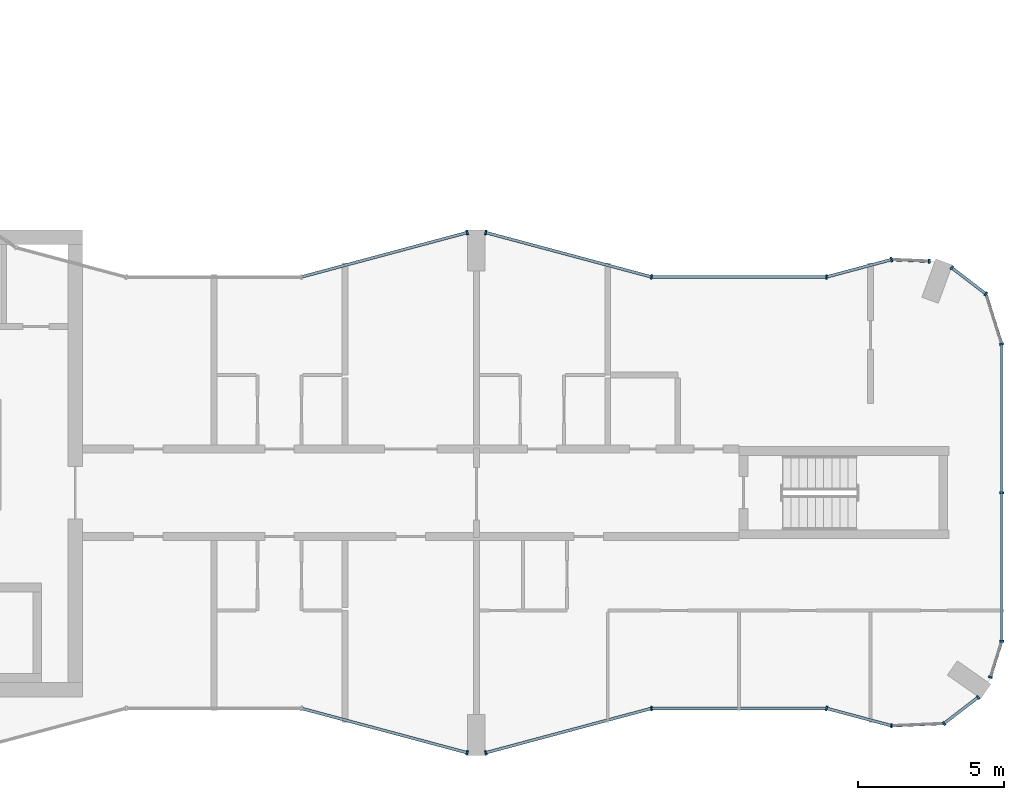
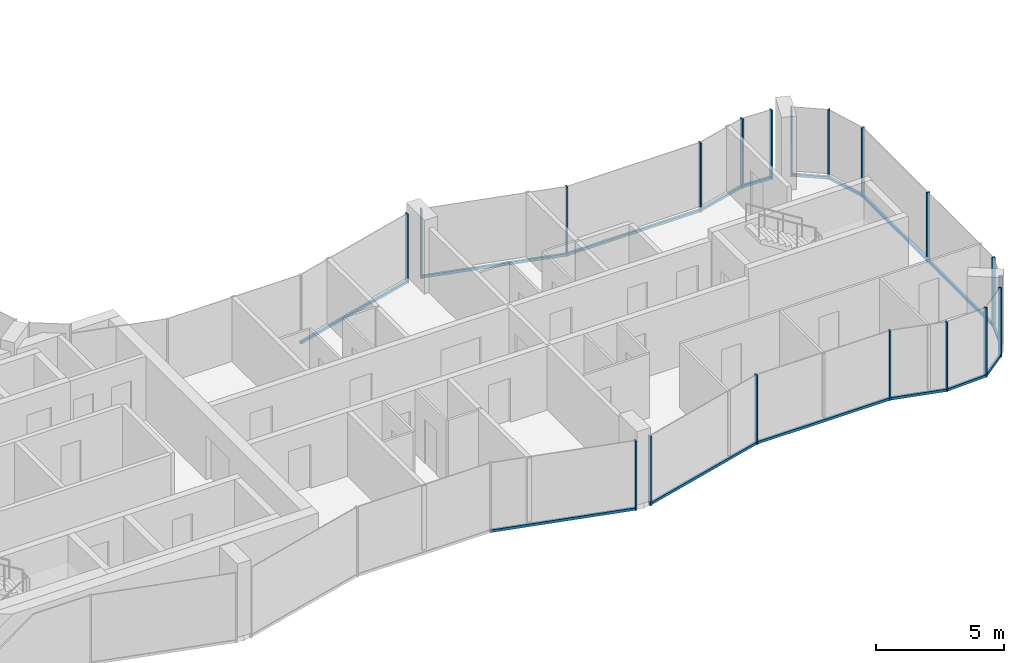
# One storey, part 6 of 17: 34 members, 15 elements without a shape of their own.
"""IFC4 building model written with IfcOpenShell, lengths in metres."""

from ifc_helpers import new_model, si_unit, direction, frame, origin, origin_2d, place, context, subcontext, project, spatial, rectangle, extrude, material, layer, layer_set, material_profile, profile_set, type_object, element, aggregate, save


model = new_model("IFC4")

# Units and contexts
model_context = context("Model", 3, precision=1e-05, world=origin(), true_north=direction((0.0, 1.0)))
body_context = subcontext(model_context, "Body", "Model", "MODEL_VIEW")
ifc_project = project(units=[si_unit("LENGTHUNIT", "METRE"), si_unit("AREAUNIT", "SQUARE_METRE"), si_unit("VOLUMEUNIT", "CUBIC_METRE"), si_unit("PLANEANGLEUNIT", "RADIAN"), si_unit("MASSUNIT", "GRAM", prefix="KILO")], contexts=[model_context])

# Site, building, storey
site_placement = place(None, origin())
site = spatial("IfcSite", under=ifc_project, at=site_placement, CompositionType="ELEMENT")
building_placement = place(site_placement, origin())
building = spatial("IfcBuilding", under=site, at=building_placement, Name="Plateau Cross Towers", CompositionType="ELEMENT")
storey_placement = place(building_placement, frame((0.0, 0.0, 225.89990234375)))
storey = spatial("IfcBuildingStorey", under=building, at=storey_placement, Name="L59", CompositionType="ELEMENT", Elevation=225.89990234375)

# Curtain wall, member
ifc_material_1 = material(Name="Dark low-iron glass", Category="glass")
ifc_layer_1 = layer(ifc_material_1, 0.239990234375)
ifc_layer_set_1 = layer_set([ifc_layer_1], Name="Dark low-iron glass")
curtain_wall_type_1 = type_object("IfcCurtainWallType", Name="Curtain wall flush unitised CW-B", PredefinedType="NOTDEFINED", material=ifc_layer_set_1)
curtain_wall_1_placement = place(storey_placement, origin())
curtain_wall_1 = element("IfcCurtainWall", 1, at=curtain_wall_1_placement, inside=storey, type_object=curtain_wall_type_1, Name="ENV/A/L59/A502_10", PredefinedType="NOTDEFINED")
ifc_material_2 = material(Name="Black anodised aluminium", Category="aluminium")
ifc_material_profile_1 = material_profile(ifc_material_2, rectangle(XDim=0.06005859375, YDim=0.139892578125, at=origin_2d()), Name="MULLION 60x140")
ifc_profile_set_1 = profile_set([ifc_material_profile_1], Name="Black anodised aluminium")
member_type_1 = type_object("IfcMemberType", Name="Mullion 60x140 flush unitised", PredefinedType="MULLION", material=ifc_profile_set_1)
member_1_placement = place(storey_placement, frame((50.223876953125, 1.01123046875, -0.25), z_axis=(0.0, 0.0, 1.0), x_axis=(0.999043701491, 0.043722791671, 0.0)))
member_1 = element("IfcMember", 2, at=member_1_placement, type_object=member_type_1, Name="CW-B mullion 1", PredefinedType="MULLION", context=body_context, shape_type="SweptSolid", body=[
    extrude(rectangle(XDim=0.06005859375, YDim=0.139892578125, at=origin_2d()), origin(), (0.0, 0.0, 1.0), 3.300048828125),
])

# Curtain wall, members
curtain_wall_2_placement = place(storey_placement, origin())
curtain_wall_2 = element("IfcCurtainWall", 3, at=curtain_wall_2_placement, inside=storey, type_object=curtain_wall_type_1, Name="ENV/A/L59/A520_11", PredefinedType="NOTDEFINED")
member_2_placement = place(storey_placement, frame((52.0263671875, 1.090087890625, -0.25), z_axis=(0.0, 0.0, 1.0), x_axis=(0.793315514529, 0.608810721331, 0.0)))
member_2 = element("IfcMember", 4, at=member_2_placement, type_object=member_type_1, Name="CW-B mullion 1", PredefinedType="MULLION", context=body_context, shape_type="SweptSolid", body=[
    extrude(rectangle(XDim=0.06005859375, YDim=0.139892578125, at=origin_2d()), origin(), (0.0, 0.0, 1.0), 3.300048828125),
])
member_3_placement = place(storey_placement, frame((53.193603515625, 1.986083984375, -0.25), z_axis=(0.0, 0.0, 1.0), x_axis=(0.793315514529, 0.608810721331, 0.0)))
member_3 = element("IfcMember", 5, at=member_3_placement, type_object=member_type_1, Name="CW-B mullion 2", PredefinedType="MULLION", context=body_context, shape_type="SweptSolid", body=[
    extrude(rectangle(XDim=0.06005859375, YDim=0.139892578125, at=origin_2d()), origin(), (0.0, 0.0, 1.0), 3.300048828125),
])

# Curtain wall, member
curtain_wall_3_placement = place(storey_placement, origin())
curtain_wall_3 = element("IfcCurtainWall", 6, at=curtain_wall_3_placement, inside=storey, type_object=curtain_wall_type_1, Name="ENV/A/L59/A536_27", PredefinedType="NOTDEFINED")
member_4_placement = place(storey_placement, frame((53.611083984375, 2.67529296875, -0.25), z_axis=(0.0, 0.0, 1.0), x_axis=(0.300686174994, 0.95372313811, 0.0)))
member_4 = element("IfcMember", 7, at=member_4_placement, type_object=member_type_1, Name="CW-B mullion 1", PredefinedType="MULLION", context=body_context, shape_type="SweptSolid", body=[
    extrude(rectangle(XDim=0.06005859375, YDim=0.139892578125, at=origin_2d()), origin(), (0.0, 0.0, 1.0), 3.300048828125),
])

# Curtain wall, members
curtain_wall_4_placement = place(storey_placement, origin())
curtain_wall_4 = element("IfcCurtainWall", 8, at=curtain_wall_4_placement, inside=storey, type_object=curtain_wall_type_1, Name="ENV/A/L59/A540_39", PredefinedType="NOTDEFINED")
member_5_placement = place(storey_placement, frame((54.0, 3.9091796875, -0.25), z_axis=(0.0, 0.0, 1.0), x_axis=(0.0, 1.0, 0.0)))
member_5 = element("IfcMember", 9, at=member_5_placement, type_object=member_type_1, Name="CW-B mullion 1", PredefinedType="MULLION", context=body_context, shape_type="SweptSolid", body=[
    extrude(rectangle(XDim=0.06005859375, YDim=0.139892578125, at=origin_2d()), origin(), (0.0, 0.0, 1.0), 3.300048828125),
])
member_6_placement = place(storey_placement, frame((54.0, 9.0, -0.25), z_axis=(0.0, 0.0, 1.0), x_axis=(0.0, 1.0, 0.0)))
member_6 = element("IfcMember", 10, at=member_6_placement, type_object=member_type_1, Name="CW-B mullion 2", PredefinedType="MULLION", context=body_context, shape_type="SweptSolid", body=[
    extrude(rectangle(XDim=0.06005859375, YDim=0.139892578125, at=origin_2d()), origin(), (0.0, 0.0, 1.0), 3.300048828125),
])

# Curtain wall, member
curtain_wall_5_placement = place(storey_placement, origin())
curtain_wall_5 = element("IfcCurtainWall", 11, at=curtain_wall_5_placement, inside=storey, type_object=curtain_wall_type_1, Name="ENV/A/L59/A540_141", PredefinedType="NOTDEFINED")
member_7_placement = place(storey_placement, frame((54.0, 14.0908203125, -0.25), z_axis=(0.0, 0.0, 1.0), x_axis=(-0.300686174994, 0.95372313811, 0.0)))
member_7 = element("IfcMember", 12, at=member_7_placement, type_object=member_type_1, Name="CW-B mullion 1", PredefinedType="MULLION", context=body_context, shape_type="SweptSolid", body=[
    extrude(rectangle(XDim=0.06005859375, YDim=0.139892578125, at=origin_2d()), origin(), (0.0, 0.0, 1.0), 3.300048828125),
])

# Curtain wall, members
curtain_wall_6_placement = place(storey_placement, origin())
curtain_wall_6 = element("IfcCurtainWall", 13, at=curtain_wall_6_placement, inside=storey, type_object=curtain_wall_type_1, Name="ENV/A/L59/A535_158", PredefinedType="NOTDEFINED")
member_8_placement = place(storey_placement, frame((53.45751953125, 15.8115234375, -0.25), z_axis=(0.0, 0.0, 1.0), x_axis=(-0.793315514529, 0.608810721331, 0.0)))
member_8 = element("IfcMember", 14, at=member_8_placement, type_object=member_type_1, Name="CW-B mullion 1", PredefinedType="MULLION", context=body_context, shape_type="SweptSolid", body=[
    extrude(rectangle(XDim=0.06005859375, YDim=0.139892578125, at=origin_2d()), origin(), (0.0, 0.0, 1.0), 3.300048828125),
])
member_9_placement = place(storey_placement, frame((52.290283203125, 16.707275390625, -0.25), z_axis=(0.0, 0.0, 1.0), x_axis=(-0.793315514529, 0.608810721331, 0.0)))
member_9 = element("IfcMember", 15, at=member_9_placement, type_object=member_type_1, Name="CW-B mullion 2", PredefinedType="MULLION", context=body_context, shape_type="SweptSolid", body=[
    extrude(rectangle(XDim=0.06005859375, YDim=0.139892578125, at=origin_2d()), origin(), (0.0, 0.0, 1.0), 3.300048828125),
])

# Curtain wall, member
curtain_wall_7_placement = place(storey_placement, origin())
curtain_wall_7 = element("IfcCurtainWall", 16, at=curtain_wall_7_placement, inside=storey, type_object=curtain_wall_type_1, Name="ENV/A/L59/A515_169", PredefinedType="NOTDEFINED")
member_10_placement = place(storey_placement, frame((51.516357421875, 16.93212890625, -0.25), z_axis=(0.0, 0.0, 1.0), x_axis=(-0.999043701491, 0.043722791671, 0.0)))
member_10 = element("IfcMember", 17, at=member_10_placement, type_object=member_type_1, Name="CW-B mullion 1", PredefinedType="MULLION", context=body_context, shape_type="SweptSolid", body=[
    extrude(rectangle(XDim=0.06005859375, YDim=0.139892578125, at=origin_2d()), origin(), (0.0, 0.0, 1.0), 3.300048828125),
])

ifc_layer_2 = layer(ifc_material_1, 0.260009765625)
ifc_layer_set_2 = layer_set([ifc_layer_2], Name="Dark low-iron glass")
curtain_wall_type_2 = type_object("IfcCurtainWallType", Name="Curtain wall fluted unitised CW-A", PredefinedType="NOTDEFINED", material=ifc_layer_set_2)
curtain_wall_8_placement = place(storey_placement, origin())
curtain_wall_8 = element("IfcCurtainWall", 18, at=curtain_wall_8_placement, inside=storey, type_object=curtain_wall_type_2, Name="ENV/A/L59/A300_16", PredefinedType="NOTDEFINED")
ifc_material_profile_2 = material_profile(ifc_material_2, rectangle(XDim=0.06005859375, YDim=0.159912109375, at=origin_2d()), Name="MULLION 60x160")
ifc_profile_set_2 = profile_set([ifc_material_profile_2], Name="Black anodised aluminium")
member_type_2 = type_object("IfcMemberType", Name="Mullion 60x160 fluted unitised", PredefinedType="MULLION", material=ifc_profile_set_2)
member_11_placement = place(storey_placement, frame((35.68212890625, 0.085205078125, -0.25), z_axis=(0.0, 0.0, 1.0), x_axis=(0.965957983404, -0.258699003279, 0.0)))
member_11 = element("IfcMember", 19, at=member_11_placement, type_object=member_type_2, Name="CW-A mullion 2", PredefinedType="MULLION", context=body_context, shape_type="SweptSolid", body=[
    extrude(rectangle(XDim=0.06005859375, YDim=0.159912109375, at=origin_2d()), origin(), (0.0, 0.0, 1.0), 3.300048828125),
])

curtain_wall_9_placement = place(storey_placement, origin())
curtain_wall_9 = element("IfcCurtainWall", 20, at=curtain_wall_9_placement, inside=storey, type_object=curtain_wall_type_2, Name="ENV/A/L59/A363_1", PredefinedType="NOTDEFINED")
member_12_placement = place(storey_placement, frame((36.31787109375, 0.085205078125, -0.25), z_axis=(0.0, 0.0, 1.0), x_axis=(0.965957983404, 0.258699003279, 0.0)))
member_12 = element("IfcMember", 21, at=member_12_placement, type_object=member_type_2, Name="CW-A mullion 1", PredefinedType="MULLION", context=body_context, shape_type="SweptSolid", body=[
    extrude(rectangle(XDim=0.06005859375, YDim=0.159912109375, at=origin_2d()), origin(), (0.0, 0.0, 1.0), 3.300048828125),
])

curtain_wall_10_placement = place(storey_placement, origin())
curtain_wall_10 = element("IfcCurtainWall", 22, at=curtain_wall_10_placement, inside=storey, type_object=curtain_wall_type_2, Name="ENV/A/L59/A420_16", PredefinedType="NOTDEFINED")
member_13_placement = place(storey_placement, frame((42.0, 1.60693359375, -0.25), z_axis=(0.0, 0.0, 1.0), x_axis=(1.0, 0.0, 0.0)))
member_13 = element("IfcMember", 23, at=member_13_placement, type_object=member_type_2, Name="CW-A mullion 1", PredefinedType="MULLION", context=body_context, shape_type="SweptSolid", body=[
    extrude(rectangle(XDim=0.06005859375, YDim=0.159912109375, at=origin_2d()), origin(), (0.0, 0.0, 1.0), 3.300048828125),
])

curtain_wall_11_placement = place(storey_placement, origin())
curtain_wall_11 = element("IfcCurtainWall", 24, at=curtain_wall_11_placement, inside=storey, type_object=curtain_wall_type_2, Name="ENV/A/L59/A480_16", PredefinedType="NOTDEFINED")
member_14_placement = place(storey_placement, frame((48.0, 1.60693359375, -0.25), z_axis=(0.0, 0.0, 1.0), x_axis=(0.965957962328, -0.258699081978, 0.0)))
member_14 = element("IfcMember", 25, at=member_14_placement, type_object=member_type_2, Name="CW-A mullion 1", PredefinedType="MULLION", context=body_context, shape_type="SweptSolid", body=[
    extrude(rectangle(XDim=0.06005859375, YDim=0.159912109375, at=origin_2d()), origin(), (0.0, 0.0, 1.0), 3.300048828125),
])

curtain_wall_12_placement = place(storey_placement, origin())
curtain_wall_12 = element("IfcCurtainWall", 26, at=curtain_wall_12_placement, inside=storey, type_object=curtain_wall_type_2, Name="ENV/A/L59/A502_170", PredefinedType="NOTDEFINED")
member_15_placement = place(storey_placement, frame((50.223876953125, 16.98876953125, -0.25), z_axis=(0.0, 0.0, 1.0), x_axis=(-0.965957962328, -0.258699081978, 0.0)))
member_15 = element("IfcMember", 27, at=member_15_placement, type_object=member_type_2, Name="CW-A mullion 1", PredefinedType="MULLION", context=body_context, shape_type="SweptSolid", body=[
    extrude(rectangle(XDim=0.06005859375, YDim=0.159912109375, at=origin_2d()), origin(), (0.0, 0.0, 1.0), 3.300048828125),
])

curtain_wall_13_placement = place(storey_placement, origin())
curtain_wall_13 = element("IfcCurtainWall", 28, at=curtain_wall_13_placement, inside=storey, type_object=curtain_wall_type_2, Name="ENV/A/L59/A480_164", PredefinedType="NOTDEFINED")
member_16_placement = place(storey_placement, frame((48.0, 16.39306640625, -0.25), z_axis=(0.0, 0.0, 1.0), x_axis=(-1.0, 0.0, 0.0)))
member_16 = element("IfcMember", 29, at=member_16_placement, type_object=member_type_2, Name="CW-A mullion 1", PredefinedType="MULLION", context=body_context, shape_type="SweptSolid", body=[
    extrude(rectangle(XDim=0.06005859375, YDim=0.159912109375, at=origin_2d()), origin(), (0.0, 0.0, 1.0), 3.300048828125),
])

# Curtain wall, members
curtain_wall_14_placement = place(storey_placement, origin())
curtain_wall_14 = element("IfcCurtainWall", 30, at=curtain_wall_14_placement, inside=storey, type_object=curtain_wall_type_2, Name="ENV/A/L59/A420_164", PredefinedType="NOTDEFINED")
member_17_placement = place(storey_placement, frame((42.0, 16.39306640625, -0.25), z_axis=(0.0, 0.0, 1.0), x_axis=(-0.965957983404, 0.258699003279, 0.0)))
member_17 = element("IfcMember", 31, at=member_17_placement, type_object=member_type_2, Name="CW-A mullion 1", PredefinedType="MULLION", context=body_context, shape_type="SweptSolid", body=[
    extrude(rectangle(XDim=0.06005859375, YDim=0.159912109375, at=origin_2d()), origin(), (0.0, 0.0, 1.0), 3.300048828125),
])
member_18_placement = place(storey_placement, frame((36.31787109375, 17.914794921875, -0.25), z_axis=(0.0, 0.0, 1.0), x_axis=(-0.965957983404, 0.258699003279, 0.0)))
member_18 = element("IfcMember", 32, at=member_18_placement, type_object=member_type_2, Name="CW-A mullion 2", PredefinedType="MULLION", context=body_context, shape_type="SweptSolid", body=[
    extrude(rectangle(XDim=0.06005859375, YDim=0.159912109375, at=origin_2d()), origin(), (0.0, 0.0, 1.0), 3.300048828125),
])

# Curtain wall, member
curtain_wall_15_placement = place(storey_placement, origin())
curtain_wall_15 = element("IfcCurtainWall", 33, at=curtain_wall_15_placement, inside=storey, type_object=curtain_wall_type_2, Name="ENV/A/L59/A357_179", PredefinedType="NOTDEFINED")
member_19_placement = place(storey_placement, frame((35.68212890625, 17.914794921875, -0.25), z_axis=(0.0, 0.0, 1.0), x_axis=(-0.965957983404, -0.258699003279, 0.0)))
member_19 = element("IfcMember", 34, at=member_19_placement, type_object=member_type_2, Name="CW-A mullion 1", PredefinedType="MULLION", context=body_context, shape_type="SweptSolid", body=[
    extrude(rectangle(XDim=0.06005859375, YDim=0.159912109375, at=origin_2d()), origin(), (0.0, 0.0, 1.0), 3.300048828125),
])

# Member
ifc_material_profile_3 = material_profile(ifc_material_2, rectangle(XDim=0.10009765625, YDim=0.1201171875, at=origin_2d()), Name="TRANSOM 100x120")
ifc_profile_set_3 = profile_set([ifc_material_profile_3], Name="Black anodised aluminium")
member_type_3 = type_object("IfcMemberType", Name="Transom 100x120 flush unitised", PredefinedType="USERDEFINED", material=ifc_profile_set_3)
member_20_placement = place(storey_placement, frame((50.223876953125, 1.01123046875, -0.18994140625), z_axis=(0.999044377355, 0.043707345779, 0.0), x_axis=(-0.043707345779, 0.999044377355, 0.0)))
member_20 = element("IfcMember", 35, at=member_20_placement, type_object=member_type_3, Name="CW-B transom", ObjectType="TRANSOM", PredefinedType="USERDEFINED", context=body_context, shape_type="SweptSolid", body=[
    extrude(rectangle(XDim=0.10009765625, YDim=0.1201171875, at=origin_2d()), origin(), (0.0, 0.0, 1.0), 1.80419921875),
])

aggregate(curtain_wall_1, [member_1, member_20])

member_21_placement = place(storey_placement, frame((52.0263671875, 1.090087890625, -0.18994140625), z_axis=(0.793240368515, 0.608908628415, 0.0), x_axis=(-0.608908628415, 0.793240368515, 0.0)))
member_21 = element("IfcMember", 36, at=member_21_placement, type_object=member_type_3, Name="CW-B transom", ObjectType="TRANSOM", PredefinedType="USERDEFINED", context=body_context, shape_type="SweptSolid", body=[
    extrude(rectangle(XDim=0.10009765625, YDim=0.1201171875, at=origin_2d()), origin(), (0.0, 0.0, 1.0), 1.471435546875),
])

aggregate(curtain_wall_2, [member_2, member_3, member_21])

member_22_placement = place(storey_placement, frame((53.611083984375, 2.67529296875, -0.18994140625), z_axis=(0.300616528216, 0.953745093284, 0.0), x_axis=(-0.953745093284, 0.300616528216, 0.0)))
member_22 = element("IfcMember", 37, at=member_22_placement, type_object=member_type_3, Name="CW-B transom", ObjectType="TRANSOM", PredefinedType="USERDEFINED", context=body_context, shape_type="SweptSolid", body=[
    extrude(rectangle(XDim=0.10009765625, YDim=0.1201171875, at=origin_2d()), origin(), (0.0, 0.0, 1.0), 1.293701171875),
])

aggregate(curtain_wall_3, [member_4, member_22])

member_23_placement = place(storey_placement, frame((54.0, 3.9091796875, -0.18994140625), z_axis=(0.0, 1.0, 0.0), x_axis=(-1.0, 0.0, 0.0)))
member_23 = element("IfcMember", 38, at=member_23_placement, type_object=member_type_3, Name="CW-B transom", ObjectType="TRANSOM", PredefinedType="USERDEFINED", context=body_context, shape_type="SweptSolid", body=[
    extrude(rectangle(XDim=0.10009765625, YDim=0.1201171875, at=origin_2d()), origin(), (0.0, 0.0, 1.0), 10.181640625),
])

aggregate(curtain_wall_4, [member_5, member_6, member_23])

member_24_placement = place(storey_placement, frame((54.0, 14.0908203125, -0.18994140625), z_axis=(-0.30067799945, 0.953725715626, 0.0), x_axis=(-0.953725715626, -0.30067799945, 0.0)))
member_24 = element("IfcMember", 39, at=member_24_placement, type_object=member_type_3, Name="CW-B transom", ObjectType="TRANSOM", PredefinedType="USERDEFINED", context=body_context, shape_type="SweptSolid", body=[
    extrude(rectangle(XDim=0.10009765625, YDim=0.1201171875, at=origin_2d()), origin(), (0.0, 0.0, 1.0), 1.80419921875),
])

aggregate(curtain_wall_5, [member_7, member_24])

member_25_placement = place(storey_placement, frame((53.45751953125, 15.8115234375, -0.18994140625), z_axis=(-0.793320508571, 0.608804213751, 0.0), x_axis=(-0.608804213751, -0.793320508571, 0.0)))
member_25 = element("IfcMember", 40, at=member_25_placement, type_object=member_type_3, Name="CW-B transom", ObjectType="TRANSOM", PredefinedType="USERDEFINED", context=body_context, shape_type="SweptSolid", body=[
    extrude(rectangle(XDim=0.10009765625, YDim=0.1201171875, at=origin_2d()), origin(), (0.0, 0.0, 1.0), 1.471435546875),
])

aggregate(curtain_wall_6, [member_8, member_9, member_25])

member_26_placement = place(storey_placement, frame((51.516357421875, 16.93212890625, -0.18994140625), z_axis=(-0.999041144614, 0.043781175963, 0.0), x_axis=(-0.043781175963, -0.999041144614, 0.0)))
member_26 = element("IfcMember", 41, at=member_26_placement, type_object=member_type_3, Name="CW-B transom", ObjectType="TRANSOM", PredefinedType="USERDEFINED", context=body_context, shape_type="SweptSolid", body=[
    extrude(rectangle(XDim=0.10009765625, YDim=0.1201171875, at=origin_2d()), origin(), (0.0, 0.0, 1.0), 1.293701171875),
])

aggregate(curtain_wall_7, [member_10, member_26])

ifc_material_profile_4 = material_profile(ifc_material_2, rectangle(XDim=0.10009765625, YDim=0.1201171875, at=origin_2d()), Name="TRANSOM 100x120")
ifc_profile_set_4 = profile_set([ifc_material_profile_4], Name="Black anodised aluminium")
member_type_4 = type_object("IfcMemberType", Name="Transom 100x120 fluted unitised", PredefinedType="USERDEFINED", material=ifc_profile_set_4)
member_27_placement = place(storey_placement, frame((30.0, 1.60693359375, -0.18994140625), z_axis=(0.965959534794, -0.258693210465, 0.0), x_axis=(0.258693210465, 0.965959534794, 0.0)))
member_27 = element("IfcMember", 42, at=member_27_placement, type_object=member_type_4, Name="CW-A transom", ObjectType="TRANSOM", PredefinedType="USERDEFINED", context=body_context, shape_type="SweptSolid", body=[
    extrude(rectangle(XDim=0.10009765625, YDim=0.1201171875, at=origin_2d()), origin(), (0.0, 0.0, 1.0), 5.88232421875),
])

aggregate(curtain_wall_8, [member_11, member_27])

member_28_placement = place(storey_placement, frame((36.31787109375, 0.085205078125, -0.18994140625), z_axis=(0.965959534794, 0.258693210465, 0.0), x_axis=(-0.258693210465, 0.965959534794, 0.0)))
member_28 = element("IfcMember", 43, at=member_28_placement, type_object=member_type_4, Name="CW-A transom", ObjectType="TRANSOM", PredefinedType="USERDEFINED", context=body_context, shape_type="SweptSolid", body=[
    extrude(rectangle(XDim=0.10009765625, YDim=0.1201171875, at=origin_2d()), origin(), (0.0, 0.0, 1.0), 5.88232421875),
])

aggregate(curtain_wall_9, [member_12, member_28])

member_29_placement = place(storey_placement, frame((42.0, 1.60693359375, -0.18994140625), z_axis=(1.0, 0.0, 0.0), x_axis=(0.0, 1.0, 0.0)))
member_29 = element("IfcMember", 44, at=member_29_placement, type_object=member_type_4, Name="CW-A transom", ObjectType="TRANSOM", PredefinedType="USERDEFINED", context=body_context, shape_type="SweptSolid", body=[
    extrude(rectangle(XDim=0.10009765625, YDim=0.1201171875, at=origin_2d()), origin(), (0.0, 0.0, 1.0), 6.0),
])

aggregate(curtain_wall_10, [member_13, member_29])

member_30_placement = place(storey_placement, frame((48.0, 1.60693359375, -0.18994140625), z_axis=(0.965945685136, -0.258744919501, 0.0), x_axis=(0.258744919501, 0.965945685136, 0.0)))
member_30 = element("IfcMember", 45, at=member_30_placement, type_object=member_type_4, Name="CW-A transom", ObjectType="TRANSOM", PredefinedType="USERDEFINED", context=body_context, shape_type="SweptSolid", body=[
    extrude(rectangle(XDim=0.10009765625, YDim=0.1201171875, at=origin_2d()), origin(), (0.0, 0.0, 1.0), 2.30224609375),
])

aggregate(curtain_wall_11, [member_14, member_30])

member_31_placement = place(storey_placement, frame((50.223876953125, 16.98876953125, -0.18994140625), z_axis=(-0.965945685136, -0.258744919501, 0.0), x_axis=(0.258744919501, -0.965945685136, 0.0)))
member_31 = element("IfcMember", 46, at=member_31_placement, type_object=member_type_4, Name="CW-A transom", ObjectType="TRANSOM", PredefinedType="USERDEFINED", context=body_context, shape_type="SweptSolid", body=[
    extrude(rectangle(XDim=0.10009765625, YDim=0.1201171875, at=origin_2d()), origin(), (0.0, 0.0, 1.0), 2.30224609375),
])

aggregate(curtain_wall_12, [member_15, member_31])

member_32_placement = place(storey_placement, frame((48.0, 16.39306640625, -0.18994140625), z_axis=(-1.0, 0.0, 0.0), x_axis=(0.0, -1.0, 0.0)))
member_32 = element("IfcMember", 47, at=member_32_placement, type_object=member_type_4, Name="CW-A transom", ObjectType="TRANSOM", PredefinedType="USERDEFINED", context=body_context, shape_type="SweptSolid", body=[
    extrude(rectangle(XDim=0.10009765625, YDim=0.1201171875, at=origin_2d()), origin(), (0.0, 0.0, 1.0), 6.0),
])

aggregate(curtain_wall_13, [member_16, member_32])

member_33_placement = place(storey_placement, frame((42.0, 16.39306640625, -0.18994140625), z_axis=(-0.965959534794, 0.258693210465, 0.0), x_axis=(-0.258693210465, -0.965959534794, 0.0)))
member_33 = element("IfcMember", 48, at=member_33_placement, type_object=member_type_4, Name="CW-A transom", ObjectType="TRANSOM", PredefinedType="USERDEFINED", context=body_context, shape_type="SweptSolid", body=[
    extrude(rectangle(XDim=0.10009765625, YDim=0.1201171875, at=origin_2d()), origin(), (0.0, 0.0, 1.0), 5.88232421875),
])

aggregate(curtain_wall_14, [member_17, member_18, member_33])

member_34_placement = place(storey_placement, frame((35.68212890625, 17.914794921875, -0.18994140625), z_axis=(-0.965959534794, -0.258693210465, 0.0), x_axis=(0.258693210465, -0.965959534794, 0.0)))
member_34 = element("IfcMember", 49, at=member_34_placement, type_object=member_type_4, Name="CW-A transom", ObjectType="TRANSOM", PredefinedType="USERDEFINED", context=body_context, shape_type="SweptSolid", body=[
    extrude(rectangle(XDim=0.10009765625, YDim=0.1201171875, at=origin_2d()), origin(), (0.0, 0.0, 1.0), 5.88232421875),
])

aggregate(curtain_wall_15, [member_19, member_34])

save(model, "model.ifc")
